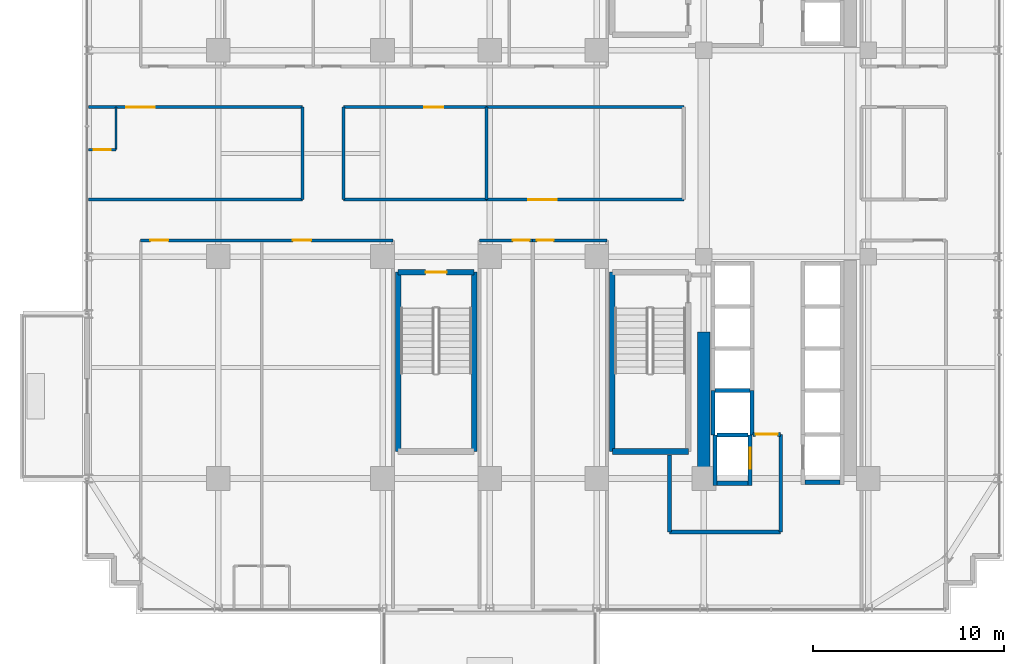
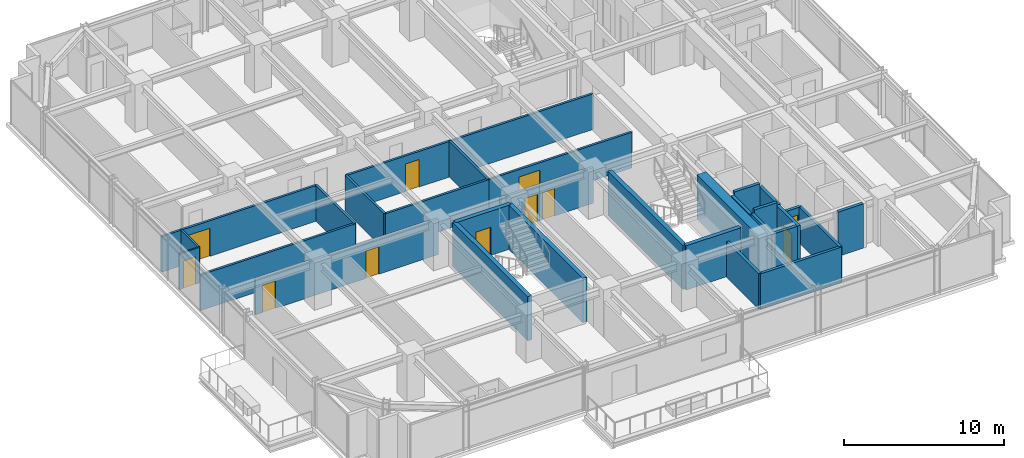
# One storey, part 25 of 31: 32 walls, 11 doors, 11 openings.
"""IFC4 building model written with IfcOpenShell, lengths in metres."""

from ifc_helpers import new_model, si_unit, direction, frame, frame_2d, origin, place, context, subcontext, project, spatial, rectangle, extrude, source, transform, mapped, material, layer, layer_set, type_object, element, fill, save


model = new_model("IFC4")

# Units and contexts
model_context = context("Model", 3, precision=1e-05, world=origin(), true_north=direction((0.0, 1.0)))
body_context = subcontext(model_context, "Body", "Model", "MODEL_VIEW")
ifc_project = project(units=[si_unit("LENGTHUNIT", "METRE"), si_unit("AREAUNIT", "SQUARE_METRE"), si_unit("VOLUMEUNIT", "CUBIC_METRE"), si_unit("PLANEANGLEUNIT", "RADIAN"), si_unit("MASSUNIT", "GRAM", prefix="KILO")], contexts=[model_context])

# Site, building, storey
site_placement = place(None, origin())
site = spatial("IfcSite", under=ifc_project, at=site_placement, CompositionType="ELEMENT")
building_placement = place(site_placement, origin())
building = spatial("IfcBuilding", under=site, at=building_placement, Name="Nahalor Promenade Grand Hotel", CompositionType="ELEMENT")
storey_placement = place(building_placement, frame((0.0, 0.0, 95.60009765625)))
storey = spatial("IfcBuildingStorey", under=building, at=storey_placement, Name="L23", CompositionType="ELEMENT", Elevation=95.60009765625)

# Walls
ifc_material_1 = material(Name="Concrete B-60 (C50/60)", Category="concrete")
ifc_layer_1 = layer(ifc_material_1, 0.64990234375)
ifc_layer_set_1 = layer_set([ifc_layer_1], Name="Concrete B-60 (C50/60)")
wall_type_1 = type_object("IfcWallType", Name="Wall-CoreShear-650", PredefinedType="SHEAR", material=ifc_layer_set_1)
shared_shape_1 = source(origin(), body_context, "Body", "SweptSolid", [
    extrude(rectangle(XDim=7.64990234375, YDim=0.64990234375, at=frame_2d((3.824951171875, 0.0))), origin(), (0.0, 0.0, 1.0), 3.3798828125),
])
wall_1_placement = place(storey_placement, frame((8.39990234375, -17.0, 0.0), z_axis=(0.0, 0.0, 1.0), x_axis=(0.0, 1.0, 0.0)))
element("IfcWall", 1, at=wall_1_placement, inside=storey, type_object=wall_type_1, Name="CWALL-L23-SW", PredefinedType="SHEAR", context=body_context, shape_type="MappedRepresentation", body=[
    mapped(shared_shape_1, transform((0.0, 0.0, 0.0), scale=1.0)),
])
ifc_material_2 = material(Name="Concrete B-50 (C40/50)", Category="concrete")
ifc_layer_2 = layer(ifc_material_2, 0.300048828125)
ifc_layer_set_2 = layer_set([ifc_layer_2], Name="Concrete B-50 (C40/50)")
wall_type_2 = type_object("IfcWallType", Name="Wall-ShaftShear-300", PredefinedType="SHEAR", material=ifc_layer_set_2)
shared_shape_2 = source(origin(), body_context, "Body", "SweptSolid", [
    extrude(rectangle(XDim=3.97998046875, YDim=0.300048828125, at=frame_2d((1.989990234375, 0.0))), origin(), (0.0, 0.0, 1.0), 3.3798828125),
])
wall_2_placement = place(storey_placement, frame((3.610107421875, -15.590087890625, 0.0), z_axis=(0.0, 0.0, 1.0), x_axis=(1.0, 0.0, 0.0)))
element("IfcWall", 2, at=wall_2_placement, inside=storey, type_object=wall_type_2, Name="L23 Exit Stair ST2 Shaft Wall S", PredefinedType="SHEAR", context=body_context, shape_type="MappedRepresentation", body=[
    mapped(shared_shape_2, transform((0.0, 0.0, 0.0), scale=1.0)),
])

# Wall, opening, door
wall_3_placement = place(storey_placement, frame((-7.590087890625, -6.2099609375, 0.0), z_axis=(0.0, 0.0, 1.0), x_axis=(1.0, 0.0, 0.0)))
wall_3 = element("IfcWall", 3, at=wall_3_placement, inside=storey, type_object=wall_type_2, Name="L23 Exit Stair ST3 Shaft Wall N", PredefinedType="SHEAR", context=body_context, shape_type="MappedRepresentation", body=[
    mapped(shared_shape_2, transform((0.0, 0.0, 0.0), scale=1.0)),
])
opening_1_placement = place(wall_3_placement, frame((1.43994140625, 0.0, 0.0)))
opening_1 = element("IfcOpeningElement", 4, at=opening_1_placement, cuts=wall_3, Name="Opening D-ST1", PredefinedType="OPENING", context=body_context, shape_type="SweptSolid", body=[
    extrude(rectangle(XDim=1.10009765625, YDim=2.14990234375, at=frame_2d((0.550048828125, 1.074951171875))), frame((0.0, 0.159912109375, 0.0), z_axis=(0.0, -1.0, 0.0), x_axis=(1.0, 0.0, 0.0)), (0.0, 0.0, 1.0), 0.320068359375),
])
ifc_material_3 = material(Name="Steel S355JR", Category="steel")
door_type_1 = type_object("IfcDoorType", Name="Door-StairFire-1100", OperationType="NOTDEFINED", PredefinedType="DOOR", material=ifc_material_3)
shared_shape_3 = source(origin(), body_context, "Body", "SweptSolid", [
    extrude(rectangle(XDim=1.10009765625, YDim=2.14990234375, at=frame_2d((0.550048828125, 1.074951171875))), frame((0.0, 0.02490234375, 0.0), z_axis=(0.0, -1.0, 0.0), x_axis=(1.0, 0.0, 0.0)), (0.0, 0.0, 1.0), 0.050048828125),
])
door_1_placement = place(opening_1_placement, frame((1.10009765625, 0.0, 0.0), z_axis=(0.0, 0.0, 1.0), x_axis=(-1.0, 0.0, 0.0)))
door_1 = element("IfcDoor", 5, at=door_1_placement, inside=storey, type_object=door_type_1, Name="DR-STAIR-ST3-L23", OperationType="SINGLE_SWING_RIGHT", OverallHeight=2.14990234375, OverallWidth=1.10009765625, PredefinedType="DOOR", context=body_context, shape_type="MappedRepresentation", body=[
    mapped(shared_shape_3, transform((0.0, 0.0, 0.0), scale=1.0)),
])
fill(opening_1, door_1)

# Walls
shared_shape_4 = source(origin(), body_context, "Body", "SweptSolid", [
    extrude(rectangle(XDim=9.380126953125, YDim=0.300048828125, at=frame_2d((4.68994140625, 0.0))), origin(), (0.0, 0.0, 1.0), 3.3798828125),
])
for number, where, z_axis, x_axis, name in (
    (6, (3.610107421875, -15.590087890625, 0.0), (0.0, 0.0, 1.0), (0.0, 1.0, 0.0), "L23 Exit Stair ST2 Shaft Wall W"),
    (7, (-7.590087890625, -15.590087890625, 0.0), (0.0, 0.0, 1.0), (0.0, 1.0, 0.0), "L23 Exit Stair ST3 Shaft Wall W"),
    (8, (-3.610107421875, -15.590087890625, 0.0), (0.0, 0.0, 1.0), (0.0, 1.0, 0.0), "L23 Exit Stair ST3 Shaft Wall E"),
):
    element("IfcWall", number, at=place(storey_placement, frame(where, z_axis=z_axis, x_axis=x_axis)), inside=storey, type_object=wall_type_2, Name=name, PredefinedType="SHEAR", context=body_context, shape_type="MappedRepresentation", body=[
        mapped(shared_shape_4, transform((0.0, 0.0, 0.0), scale=1.0)),
    ])
ifc_layer_3 = layer(ifc_material_2, 0.219970703125)
ifc_layer_set_3 = layer_set([ifc_layer_3], Name="Concrete B-50 (C40/50)")
wall_type_3 = type_object("IfcWallType", Name="Wall-LiftShaft-220", PredefinedType="SHEAR", material=ifc_layer_set_3)
shared_shape_5 = source(origin(), body_context, "Body", "SweptSolid", [
    extrude(rectangle(XDim=1.820068359375, YDim=0.219970703125, at=frame_2d((0.91015625, 0.0))), origin(), (0.0, 0.0, 1.0), 3.64990234375),
])
wall_4_placement = place(storey_placement, frame((8.989990234375, -12.39990234375, 0.0), z_axis=(0.0, 0.0, 1.0), x_axis=(1.0, 0.0, 0.0)))
element("IfcWall", 9, at=wall_4_placement, inside=storey, type_object=wall_type_3, Name="L23 Lift PL12 Hoistway Wall N", PredefinedType="SHEAR", context=body_context, shape_type="MappedRepresentation", body=[
    mapped(shared_shape_5, transform((0.0, 0.0, 0.0), scale=1.0)),
])
shared_shape_6 = source(origin(), body_context, "Body", "SweptSolid", [
    extrude(rectangle(XDim=1.820068359375, YDim=0.219970703125, at=frame_2d((0.91015625, 0.0))), origin(), (0.0, 0.0, 1.0), 3.3798828125),
])
wall_5_placement = place(storey_placement, frame((13.68994140625, -17.199951171875, 0.0), z_axis=(0.0, 0.0, 1.0), x_axis=(1.0, 0.0, 0.0)))
element("IfcWall", 10, at=wall_5_placement, inside=storey, type_object=wall_type_3, Name="L23 Lift SV2 Hoistway Wall S", PredefinedType="SHEAR", context=body_context, shape_type="MappedRepresentation", body=[
    mapped(shared_shape_6, transform((0.0, 0.0, 0.0), scale=1.0)),
])
shared_shape_7 = source(origin(), body_context, "Body", "SweptSolid", [
    extrude(rectangle(XDim=2.3251953125, YDim=0.219970703125, at=frame_2d((1.16259765625, 0.0))), origin(), (0.0, 0.0, 1.0), 3.3798828125),
])
for number, where, z_axis, x_axis, name in (
    (11, (8.8798828125, -14.72509765625, 0.0), (0.0, 0.0, 1.0), (0.0, 1.0, 0.0), "L23 Lift PL12 Hoistway Wall W"),
    (12, (10.919921875, -14.72509765625, 0.0), (0.0, 0.0, 1.0), (0.0, 1.0, 0.0), "L23 Lift PL12 Hoistway Wall E"),
):
    element("IfcWall", number, at=place(storey_placement, frame(where, z_axis=z_axis, x_axis=x_axis)), inside=storey, type_object=wall_type_3, Name=name, PredefinedType="SHEAR", context=body_context, shape_type="MappedRepresentation", body=[
        mapped(shared_shape_7, transform((0.0, 0.0, 0.0), scale=1.0)),
    ])
shared_shape_8 = source(origin(), body_context, "Body", "SweptSolid", [
    extrude(rectangle(XDim=1.619873046875, YDim=0.219970703125, at=frame_2d((0.81005859375, 0.0))), origin(), (0.0, 0.0, 1.0), 3.64990234375),
])
wall_6_placement = place(storey_placement, frame((9.090087890625, -14.72509765625, 0.0), z_axis=(0.0, 0.0, 1.0), x_axis=(1.0, 0.0, 0.0)))
element("IfcWall", 13, at=wall_6_placement, inside=storey, type_object=wall_type_3, Name="L23 Lift FL2 Hoistway Wall N", PredefinedType="SHEAR", context=body_context, shape_type="MappedRepresentation", body=[
    mapped(shared_shape_8, transform((0.0, 0.0, 0.0), scale=1.0)),
])
shared_shape_9 = source(origin(), body_context, "Body", "SweptSolid", [
    extrude(rectangle(XDim=2.635009765625, YDim=0.219970703125, at=frame_2d((1.3173828125, 0.0))), origin(), (0.0, 0.0, 1.0), 3.3798828125),
])
wall_7_placement = place(storey_placement, frame((8.97998046875, -17.360107421875, 0.0), z_axis=(0.0, 0.0, 1.0), x_axis=(0.0, 1.0, 0.0)))
element("IfcWall", 14, at=wall_7_placement, inside=storey, type_object=wall_type_3, Name="L23 Lift FL2 Hoistway Wall W", PredefinedType="SHEAR", context=body_context, shape_type="MappedRepresentation", body=[
    mapped(shared_shape_9, transform((0.0, 0.0, 0.0), scale=1.0)),
])

# Wall, opening, door
wall_8_placement = place(storey_placement, frame((10.820068359375, -17.360107421875, 0.0), z_axis=(0.0, 0.0, 1.0), x_axis=(0.0, 1.0, 0.0)))
wall_8 = element("IfcWall", 15, at=wall_8_placement, inside=storey, type_object=wall_type_3, Name="L23 Lift FL2 Hoistway Wall E", PredefinedType="SHEAR", context=body_context, shape_type="MappedRepresentation", body=[
    mapped(shared_shape_9, transform((0.0, 0.0, 0.0), scale=1.0)),
])
opening_2_placement = place(wall_8_placement, frame((0.860107421875, 0.0, 0.0)))
opening_2 = element("IfcOpeningElement", 16, at=opening_2_placement, cuts=wall_8, Name="Opening LD-02", PredefinedType="OPENING", context=body_context, shape_type="SweptSolid", body=[
    extrude(rectangle(XDim=1.10009765625, YDim=2.199951171875, at=frame_2d((0.550048828125, 1.10009765625))), frame((0.0, 0.119873046875, 0.0), z_axis=(0.0, -1.0, 0.0), x_axis=(1.0, 0.0, 0.0)), (0.0, 0.0, 1.0), 0.239990234375),
])
door_type_2 = type_object("IfcDoorType", Name="Door-LiftFF-1100", OperationType="DOUBLE_DOOR_SLIDING", PredefinedType="DOOR", material=ifc_material_3)
shared_shape_10 = source(origin(), body_context, "Body", "SweptSolid", [
    extrude(rectangle(XDim=1.10009765625, YDim=2.199951171875, at=frame_2d((0.550048828125, 1.10009765625))), frame((0.0, 0.02490234375, 0.0), z_axis=(0.0, -1.0, 0.0), x_axis=(1.0, 0.0, 0.0)), (0.0, 0.0, 1.0), 0.050048828125),
])
door_2_placement = place(opening_2_placement, frame((1.10009765625, 0.0, 0.0), z_axis=(0.0, 0.0, 1.0), x_axis=(-1.0, 0.0, 0.0)))
door_2 = element("IfcDoor", 17, at=door_2_placement, inside=storey, type_object=door_type_2, Name="DR-LIFT-FL2-L23", OperationType="DOUBLE_DOOR_SLIDING", OverallHeight=2.199951171875, OverallWidth=1.10009765625, PredefinedType="DOOR", context=body_context, shape_type="MappedRepresentation", body=[
    mapped(shared_shape_10, transform((0.0, 0.0, 0.0), scale=1.0)),
])
fill(opening_2, door_2)

# Walls
shared_shape_11 = source(origin(), body_context, "Body", "SweptSolid", [
    extrude(rectangle(XDim=1.619873046875, YDim=0.219970703125, at=frame_2d((0.81005859375, 0.0))), origin(), (0.0, 0.0, 1.0), 3.3798828125),
])
wall_9_placement = place(storey_placement, frame((9.090087890625, -17.25, 0.0), z_axis=(0.0, 0.0, 1.0), x_axis=(1.0, 0.0, 0.0)))
element("IfcWall", 18, at=wall_9_placement, inside=storey, type_object=wall_type_3, Name="L23 Lift FL2 Hoistway Wall S", PredefinedType="SHEAR", context=body_context, shape_type="MappedRepresentation", body=[
    mapped(shared_shape_11, transform((0.0, 0.0, 0.0), scale=1.0)),
])
ifc_material_4 = material(Name="Concrete B-40 (C32/40)", Category="concrete")
ifc_layer_4 = layer(ifc_material_4, 0.199951171875)
ifc_layer_set_4 = layer_set([ifc_layer_4], Name="Concrete B-40 (C32/40)")
wall_type_4 = type_object("IfcWallType", Name="Wall-PartFire-200", PredefinedType="PARTITIONING", material=ifc_layer_set_4)
shared_shape_12 = source(origin(), body_context, "Body", "SweptSolid", [
    extrude(rectangle(XDim=5.81982421875, YDim=0.199951171875, at=frame_2d((2.909912109375, 0.0))), origin(), (0.0, 0.0, 1.0), 2.719970703125),
])
wall_10_placement = place(storey_placement, frame((6.60009765625, -19.800048828125, 0.0), z_axis=(0.0, 0.0, 1.0), x_axis=(1.0, 0.0, 0.0)))
element("IfcWall", 19, at=wall_10_placement, inside=storey, type_object=wall_type_4, Name="W-L23-FF2-S1", PredefinedType="PARTITIONING", context=body_context, shape_type="MappedRepresentation", body=[
    mapped(shared_shape_12, transform((0.0, 0.0, 0.0), scale=1.0)),
])
shared_shape_13 = source(origin(), body_context, "Body", "SweptSolid", [
    extrude(rectangle(XDim=4.030029296875, YDim=0.199951171875, at=frame_2d((2.01513671875, 0.0))), origin(), (0.0, 0.0, 1.0), 2.719970703125),
])
wall_11_placement = place(storey_placement, frame((6.60009765625, -19.800048828125, 0.0), z_axis=(0.0, 0.0, 1.0), x_axis=(0.0, 1.0, 0.0)))
element("IfcWall", 20, at=wall_11_placement, inside=storey, type_object=wall_type_4, Name="W-L23-FF2-W1", PredefinedType="PARTITIONING", context=body_context, shape_type="MappedRepresentation", body=[
    mapped(shared_shape_13, transform((0.0, 0.0, 0.0), scale=1.0)),
])
shared_shape_14 = source(origin(), body_context, "Body", "SweptSolid", [
    extrude(rectangle(XDim=5.10009765625, YDim=0.199951171875, at=frame_2d((2.550048828125, 0.0))), origin(), (0.0, 0.0, 1.0), 2.719970703125),
])
wall_12_placement = place(storey_placement, frame((12.419921875, -19.800048828125, 0.0), z_axis=(0.0, 0.0, 1.0), x_axis=(0.0, 1.0, 0.0)))
element("IfcWall", 21, at=wall_12_placement, inside=storey, type_object=wall_type_4, Name="W-L23-FF2-E", PredefinedType="PARTITIONING", context=body_context, shape_type="MappedRepresentation", body=[
    mapped(shared_shape_14, transform((0.0, 0.0, 0.0), scale=1.0)),
])

# Wall, opening, door
shared_shape_15 = source(origin(), body_context, "Body", "SweptSolid", [
    extrude(rectangle(XDim=1.4599609375, YDim=0.199951171875, at=frame_2d((0.72998046875, 0.0))), origin(), (0.0, 0.0, 1.0), 2.719970703125),
])
wall_13_placement = place(storey_placement, frame((10.9599609375, -14.699951171875, 0.0), z_axis=(0.0, 0.0, 1.0), x_axis=(1.0, 0.0, 0.0)))
wall_13 = element("IfcWall", 22, at=wall_13_placement, inside=storey, type_object=wall_type_4, Name="W-L23-FF2-N1", PredefinedType="PARTITIONING", context=body_context, shape_type="MappedRepresentation", body=[
    mapped(shared_shape_15, transform((0.0, 0.0, 0.0), scale=1.0)),
])
opening_3_placement = place(wall_13_placement, frame((0.14501953125, 0.0, 0.0)))
opening_3 = element("IfcOpeningElement", 23, at=opening_3_placement, cuts=wall_13, Name="Opening D-FF1", PredefinedType="OPENING", context=body_context, shape_type="SweptSolid", body=[
    extrude(rectangle(XDim=1.14990234375, YDim=2.14990234375, at=frame_2d((0.574951171875, 1.074951171875))), frame((0.0, 0.10986328125, 0.0), z_axis=(0.0, -1.0, 0.0), x_axis=(1.0, 0.0, 0.0)), (0.0, 0.0, 1.0), 0.219970703125),
])
door_type_3 = type_object("IfcDoorType", Name="Door-FFLobby-1150", OperationType="NOTDEFINED", PredefinedType="DOOR", material=ifc_material_3)
shared_shape_16 = source(origin(), body_context, "Body", "SweptSolid", [
    extrude(rectangle(XDim=1.14990234375, YDim=2.14990234375, at=frame_2d((0.574951171875, 1.074951171875))), frame((0.0, 0.02490234375, 0.0), z_axis=(0.0, -1.0, 0.0), x_axis=(1.0, 0.0, 0.0)), (0.0, 0.0, 1.0), 0.050048828125),
])
door_3_placement = place(opening_3_placement, origin())
door_3 = element("IfcDoor", 24, at=door_3_placement, inside=storey, type_object=door_type_3, Name="DR-L23-FFL2", OperationType="SINGLE_SWING_RIGHT", OverallHeight=2.14990234375, OverallWidth=1.14990234375, PredefinedType="DOOR", context=body_context, shape_type="MappedRepresentation", body=[
    mapped(shared_shape_16, transform((0.0, 0.0, 0.0), scale=1.0)),
])
fill(opening_3, door_3)

# Wall
ifc_material_5 = material(Name="Acoustic Mineral Gypsum", Category="gypsum")
ifc_layer_5 = layer(ifc_material_5, 0.1201171875)
ifc_layer_set_5 = layer_set([ifc_layer_5], Name="Acoustic Mineral Gypsum")
wall_type_5 = type_object("IfcWallType", Name="Wall-PartBath-120", PredefinedType="PARTITIONING", material=ifc_layer_set_5)
shared_shape_17 = source(origin(), body_context, "Body", "SweptSolid", [
    extrude(rectangle(XDim=2.219970703125, YDim=0.1201171875, at=frame_2d((1.10986328125, 0.0))), origin(), (0.0, 0.0, 1.0), 2.719970703125),
])
wall_14_placement = place(storey_placement, frame((-22.35009765625, 0.199951171875, 0.0), z_axis=(0.0, 0.0, 1.0), x_axis=(0.0, 1.0, 0.0)))
element("IfcWall", 25, at=wall_14_placement, inside=storey, type_object=wall_type_5, Name="W-L23-W1-BV", PredefinedType="PARTITIONING", context=body_context, shape_type="MappedRepresentation", body=[
    mapped(shared_shape_17, transform((0.0, 0.0, 0.0), scale=1.0)),
])

# Wall, opening, door
shared_shape_18 = source(origin(), body_context, "Body", "SweptSolid", [
    extrude(rectangle(XDim=1.449951171875, YDim=0.1201171875, at=frame_2d((0.72509765625, 0.0))), origin(), (0.0, 0.0, 1.0), 2.719970703125),
])
wall_15_placement = place(storey_placement, frame((-23.800048828125, 0.199951171875, 0.0), z_axis=(0.0, 0.0, 1.0), x_axis=(1.0, 0.0, 0.0)))
wall_15 = element("IfcWall", 26, at=wall_15_placement, inside=storey, type_object=wall_type_5, Name="W-L23-W1-BH", PredefinedType="PARTITIONING", context=body_context, shape_type="MappedRepresentation", body=[
    mapped(shared_shape_18, transform((0.0, 0.0, 0.0), scale=1.0)),
])
opening_4_placement = place(wall_15_placement, frame((0.284912109375, 0.0, 0.0)))
opening_4 = element("IfcOpeningElement", 27, at=opening_4_placement, cuts=wall_15, Name="Opening D-03", PredefinedType="OPENING", context=body_context, shape_type="SweptSolid", body=[
    extrude(rectangle(XDim=0.8798828125, YDim=2.10009765625, at=frame_2d((0.43994140625, 1.050048828125))), frame((0.0, 0.070068359375, 0.0), z_axis=(0.0, -1.0, 0.0), x_axis=(1.0, 0.0, 0.0)), (0.0, 0.0, 1.0), 0.14013671875),
])
ifc_material_6 = material(Name="Fire-Rated Timber Composite", Category="wood")
door_type_4 = type_object("IfcDoorType", Name="Door-BathSwing-880", OperationType="NOTDEFINED", PredefinedType="DOOR", material=ifc_material_6)
shared_shape_19 = source(origin(), body_context, "Body", "SweptSolid", [
    extrude(rectangle(XDim=0.8798828125, YDim=2.10009765625, at=frame_2d((0.43994140625, 1.050048828125))), frame((0.0, 0.02490234375, 0.0), z_axis=(0.0, -1.0, 0.0), x_axis=(1.0, 0.0, 0.0)), (0.0, 0.0, 1.0), 0.050048828125),
])
door_4_placement = place(opening_4_placement, origin())
door_4 = element("IfcDoor", 28, at=door_4_placement, inside=storey, type_object=door_type_4, Name="DR-L23-W1-BATH", OperationType="SINGLE_SWING_LEFT", OverallHeight=2.10009765625, OverallWidth=0.8798828125, PredefinedType="DOOR", context=body_context, shape_type="MappedRepresentation", body=[
    mapped(shared_shape_19, transform((0.0, 0.0, 0.0), scale=1.0)),
])
fill(opening_4, door_4)

# Wall, openings, doors
ifc_layer_6 = layer(ifc_material_5, 0.159912109375)
ifc_layer_set_6 = layer_set([ifc_layer_6], Name="Acoustic Mineral Gypsum")
wall_type_6 = type_object("IfcWallType", Name="Wall-PartCorridor-160", PredefinedType="PARTITIONING", material=ifc_layer_set_6)
shared_shape_20 = source(origin(), body_context, "Body", "SweptSolid", [
    extrude(rectangle(XDim=13.199951171875, YDim=0.159912109375, at=frame_2d((6.60009765625, 0.0))), origin(), (0.0, 0.0, 1.0), 2.719970703125),
])
wall_16_placement = place(storey_placement, frame((-21.06005859375, -4.550048828125, 0.0), z_axis=(0.0, 0.0, 1.0), x_axis=(1.0, 0.0, 0.0)))
wall_16 = element("IfcWall", 29, at=wall_16_placement, inside=storey, type_object=wall_type_6, Name="W-L23-CORR-S", PredefinedType="PARTITIONING", context=body_context, shape_type="MappedRepresentation", body=[
    mapped(shared_shape_20, transform((0.0, 0.0, 0.0), scale=1.0)),
])
opening_5_placement = place(wall_16_placement, frame((0.50390625, 0.0, 0.0)))
opening_5 = element("IfcOpeningElement", 30, at=opening_5_placement, cuts=wall_16, Name="Opening D-01", PredefinedType="OPENING", context=body_context, shape_type="SweptSolid", body=[
    extrude(rectangle(XDim=0.949951171875, YDim=2.10009765625, at=frame_2d((0.47509765625, 1.050048828125))), frame((0.0, 0.08984375, 0.0), z_axis=(0.0, -1.0, 0.0), x_axis=(1.0, 0.0, 0.0)), (0.0, 0.0, 1.0), 0.179931640625),
])
opening_6_placement = place(wall_16_placement, frame((7.9619140625, 0.0, 0.0)))
opening_6 = element("IfcOpeningElement", 31, at=opening_6_placement, cuts=wall_16, Name="Opening D-01", PredefinedType="OPENING", context=body_context, shape_type="SweptSolid", body=[
    extrude(rectangle(XDim=0.949951171875, YDim=2.10009765625, at=frame_2d((0.47509765625, 1.050048828125))), frame((0.0, 0.08984375, 0.0), z_axis=(0.0, -1.0, 0.0), x_axis=(1.0, 0.0, 0.0)), (0.0, 0.0, 1.0), 0.179931640625),
])
door_type_5 = type_object("IfcDoorType", Name="Door-GuestEntry-950", OperationType="NOTDEFINED", PredefinedType="DOOR", material=ifc_material_6)
shared_shape_21 = source(origin(), body_context, "Body", "SweptSolid", [
    extrude(rectangle(XDim=0.949951171875, YDim=2.10009765625, at=frame_2d((0.47509765625, 1.050048828125))), frame((0.0, 0.02490234375, 0.0), z_axis=(0.0, -1.0, 0.0), x_axis=(1.0, 0.0, 0.0)), (0.0, 0.0, 1.0), 0.050048828125),
])
door_5_placement = place(opening_5_placement, frame((0.949951171875, 0.0, 0.0), z_axis=(0.0, 0.0, 1.0), x_axis=(-1.0, 0.0, 0.0)))
door_5 = element("IfcDoor", 32, at=door_5_placement, inside=storey, type_object=door_type_5, Name="DR-L23-S1-ENT", OperationType="SINGLE_SWING_RIGHT", OverallHeight=2.10009765625, OverallWidth=0.949951171875, PredefinedType="DOOR", context=body_context, shape_type="MappedRepresentation", body=[
    mapped(shared_shape_21, transform((0.0, 0.0, 0.0), scale=1.0)),
])
fill(opening_5, door_5)
door_6_placement = place(opening_6_placement, frame((0.949951171875, 0.0, 0.0), z_axis=(0.0, 0.0, 1.0), x_axis=(-1.0, 0.0, 0.0)))
door_6 = element("IfcDoor", 33, at=door_6_placement, inside=storey, type_object=door_type_5, Name="DR-L23-S2-ENT", OperationType="SINGLE_SWING_RIGHT", OverallHeight=2.10009765625, OverallWidth=0.949951171875, PredefinedType="DOOR", context=body_context, shape_type="MappedRepresentation", body=[
    mapped(shared_shape_21, transform((0.0, 0.0, 0.0), scale=1.0)),
])
fill(opening_6, door_6)

# Walls
shared_shape_22 = source(origin(), body_context, "Body", "SweptSolid", [
    extrude(rectangle(XDim=4.83984375, YDim=0.159912109375, at=frame_2d((2.419921875, 0.0))), origin(), (0.0, 0.0, 1.0), 2.719970703125),
])
for number, where, z_axis, x_axis, name in (
    (34, (-12.60009765625, -2.419921875, 0.0), (0.0, 0.0, 1.0), (0.0, 1.0, 0.0), "W-L23-WEST-E"),
    (35, (-10.449951171875, -2.419921875, 0.0), (0.0, 0.0, 1.0), (0.0, 1.0, 0.0), "W-L23-CM1-W"),
    (36, (-2.97412109375, -2.419921875, 0.0), (0.0, 0.0, 1.0), (0.0, 1.0, 0.0), "W-L23-CM1-E"),
):
    element("IfcWall", number, at=place(storey_placement, frame(where, z_axis=z_axis, x_axis=x_axis)), inside=storey, type_object=wall_type_6, Name=name, PredefinedType="PARTITIONING", context=body_context, shape_type="MappedRepresentation", body=[
        mapped(shared_shape_22, transform((0.0, 0.0, 0.0), scale=1.0)),
    ])

# Wall, opening, door
shared_shape_23 = source(origin(), body_context, "Body", "SweptSolid", [
    extrude(rectangle(XDim=11.199951171875, YDim=0.159912109375, at=frame_2d((5.60009765625, 0.0))), origin(), (0.0, 0.0, 1.0), 2.719970703125),
])
wall_17_placement = place(storey_placement, frame((-23.800048828125, 2.419921875, 0.0), z_axis=(0.0, 0.0, 1.0), x_axis=(1.0, 0.0, 0.0)))
wall_17 = element("IfcWall", 37, at=wall_17_placement, inside=storey, type_object=wall_type_6, Name="W-L23-WEST-N", PredefinedType="PARTITIONING", context=body_context, shape_type="MappedRepresentation", body=[
    mapped(shared_shape_23, transform((0.0, 0.0, 0.0), scale=1.0)),
])
opening_7_placement = place(wall_17_placement, frame((1.97705078125, 0.0, 0.0)))
opening_7 = element("IfcOpeningElement", 38, at=opening_7_placement, cuts=wall_17, Name="Opening D-02", PredefinedType="OPENING", context=body_context, shape_type="SweptSolid", body=[
    extrude(rectangle(XDim=1.5, YDim=2.14990234375, at=frame_2d((0.75, 1.074951171875))), frame((0.0, 0.08984375, 0.0), z_axis=(0.0, -1.0, 0.0), x_axis=(1.0, 0.0, 0.0)), (0.0, 0.0, 1.0), 0.179931640625),
])
door_type_6 = type_object("IfcDoorType", Name="Door-SuiteDouble-1500", OperationType="DOUBLE_DOOR_SINGLE_SWING", PredefinedType="DOOR", material=ifc_material_6)
shared_shape_24 = source(origin(), body_context, "Body", "SweptSolid", [
    extrude(rectangle(XDim=1.5, YDim=2.14990234375, at=frame_2d((0.75, 1.074951171875))), frame((0.0, 0.02490234375, 0.0), z_axis=(0.0, -1.0, 0.0), x_axis=(1.0, 0.0, 0.0)), (0.0, 0.0, 1.0), 0.050048828125),
])
door_7_placement = place(opening_7_placement, origin())
door_7 = element("IfcDoor", 39, at=door_7_placement, inside=storey, type_object=door_type_6, Name="DR-L23-W1-ENT", OperationType="DOUBLE_DOOR_SINGLE_SWING", OverallHeight=2.14990234375, OverallWidth=1.5, PredefinedType="DOOR", context=body_context, shape_type="MappedRepresentation", body=[
    mapped(shared_shape_24, transform((0.0, 0.0, 0.0), scale=1.0)),
])
fill(opening_7, door_7)

# Walls
wall_18_placement = place(storey_placement, frame((-23.800048828125, -2.419921875, 0.0), z_axis=(0.0, 0.0, 1.0), x_axis=(1.0, 0.0, 0.0)))
element("IfcWall", 40, at=wall_18_placement, inside=storey, type_object=wall_type_6, Name="W-L23-WEST-S", PredefinedType="PARTITIONING", context=body_context, shape_type="MappedRepresentation", body=[
    mapped(shared_shape_23, transform((0.0, 0.0, 0.0), scale=1.0)),
])
shared_shape_25 = source(origin(), body_context, "Body", "SweptSolid", [
    extrude(rectangle(XDim=7.475830078125, YDim=0.159912109375, at=frame_2d((3.73779296875, 0.0))), origin(), (0.0, 0.0, 1.0), 2.719970703125),
])
wall_19_placement = place(storey_placement, frame((-10.449951171875, -2.419921875, 0.0), z_axis=(0.0, 0.0, 1.0), x_axis=(1.0, 0.0, 0.0)))
element("IfcWall", 41, at=wall_19_placement, inside=storey, type_object=wall_type_6, Name="W-L23-CM1-S", PredefinedType="PARTITIONING", context=body_context, shape_type="MappedRepresentation", body=[
    mapped(shared_shape_25, transform((0.0, 0.0, 0.0), scale=1.0)),
])

# Wall, opening, door
wall_20_placement = place(storey_placement, frame((-10.449951171875, 2.419921875, 0.0), z_axis=(0.0, 0.0, 1.0), x_axis=(1.0, 0.0, 0.0)))
wall_20 = element("IfcWall", 42, at=wall_20_placement, inside=storey, type_object=wall_type_6, Name="W-L23-CM1-N", PredefinedType="PARTITIONING", context=body_context, shape_type="MappedRepresentation", body=[
    mapped(shared_shape_25, transform((0.0, 0.0, 0.0), scale=1.0)),
])
opening_8_placement = place(wall_20_placement, frame((4.23193359375, 0.0, 0.0)))
opening_8 = element("IfcOpeningElement", 43, at=opening_8_placement, cuts=wall_20, Name="Opening D-04", PredefinedType="OPENING", context=body_context, shape_type="SweptSolid", body=[
    extrude(rectangle(XDim=1.0, YDim=2.10009765625, at=frame_2d((0.5, 1.050048828125))), frame((0.0, 0.08984375, 0.0), z_axis=(0.0, -1.0, 0.0), x_axis=(1.0, 0.0, 0.0)), (0.0, 0.0, 1.0), 0.179931640625),
])
door_type_7 = type_object("IfcDoorType", Name="Door-ServiceFire-1000", OperationType="NOTDEFINED", PredefinedType="DOOR", material=ifc_material_3)
shared_shape_26 = source(origin(), body_context, "Body", "SweptSolid", [
    extrude(rectangle(XDim=1.0, YDim=2.10009765625, at=frame_2d((0.5, 1.050048828125))), frame((0.0, 0.02490234375, 0.0), z_axis=(0.0, -1.0, 0.0), x_axis=(1.0, 0.0, 0.0)), (0.0, 0.0, 1.0), 0.050048828125),
])
door_8_placement = place(opening_8_placement, frame((1.0, 0.0, 0.0), z_axis=(0.0, 0.0, 1.0), x_axis=(-1.0, 0.0, 0.0)))
door_8 = element("IfcDoor", 44, at=door_8_placement, inside=storey, type_object=door_type_7, Name="DR-L23-CM1", OperationType="SINGLE_SWING_RIGHT", OverallHeight=2.10009765625, OverallWidth=1.0, PredefinedType="DOOR", context=body_context, shape_type="MappedRepresentation", body=[
    mapped(shared_shape_26, transform((0.0, 0.0, 0.0), scale=1.0)),
])
fill(opening_8, door_8)

shared_shape_27 = source(origin(), body_context, "Body", "SweptSolid", [
    extrude(rectangle(XDim=10.32421875, YDim=0.159912109375, at=frame_2d((5.162109375, 0.0))), origin(), (0.0, 0.0, 1.0), 2.719970703125),
])
wall_21_placement = place(storey_placement, frame((-2.97412109375, -2.419921875, 0.0), z_axis=(0.0, 0.0, 1.0), x_axis=(1.0, 0.0, 0.0)))
wall_21 = element("IfcWall", 45, at=wall_21_placement, inside=storey, type_object=wall_type_6, Name="W-L23-CM2-S", PredefinedType="PARTITIONING", context=body_context, shape_type="MappedRepresentation", body=[
    mapped(shared_shape_27, transform((0.0, 0.0, 0.0), scale=1.0)),
])
opening_9_placement = place(wall_21_placement, frame((2.177978515625, 0.0, 0.0)))
opening_9 = element("IfcOpeningElement", 46, at=opening_9_placement, cuts=wall_21, Name="Opening D-02", PredefinedType="OPENING", context=body_context, shape_type="SweptSolid", body=[
    extrude(rectangle(XDim=1.5, YDim=2.14990234375, at=frame_2d((0.75, 1.074951171875))), frame((0.0, 0.08984375, 0.0), z_axis=(0.0, -1.0, 0.0), x_axis=(1.0, 0.0, 0.0)), (0.0, 0.0, 1.0), 0.179931640625),
])
door_9_placement = place(opening_9_placement, origin())
door_9 = element("IfcDoor", 47, at=door_9_placement, inside=storey, type_object=door_type_6, Name="DR-L23-CM2", OperationType="DOUBLE_DOOR_SINGLE_SWING", OverallHeight=2.14990234375, OverallWidth=1.5, PredefinedType="DOOR", context=body_context, shape_type="MappedRepresentation", body=[
    mapped(shared_shape_24, transform((0.0, 0.0, 0.0), scale=1.0)),
])
fill(opening_9, door_9)

# Wall
wall_22_placement = place(storey_placement, frame((-2.97412109375, 2.419921875, 0.0), z_axis=(0.0, 0.0, 1.0), x_axis=(1.0, 0.0, 0.0)))
element("IfcWall", 48, at=wall_22_placement, inside=storey, type_object=wall_type_6, Name="W-L23-CM2-N", PredefinedType="PARTITIONING", context=body_context, shape_type="MappedRepresentation", body=[
    mapped(shared_shape_27, transform((0.0, 0.0, 0.0), scale=1.0)),
])

# Wall, opening, door
shared_shape_28 = source(origin(), body_context, "Body", "SweptSolid", [
    extrude(rectangle(XDim=2.7900390625, YDim=0.159912109375, at=frame_2d((1.39501953125, 0.0))), origin(), (0.0, 0.0, 1.0), 2.719970703125),
])
wall_23_placement = place(storey_placement, frame((-3.340087890625, -4.550048828125, 0.0), z_axis=(0.0, 0.0, 1.0), x_axis=(1.0, 0.0, 0.0)))
wall_23 = element("IfcWall", 49, at=wall_23_placement, inside=storey, type_object=wall_type_6, Name="W-L23-SCB1-N", PredefinedType="PARTITIONING", context=body_context, shape_type="MappedRepresentation", body=[
    mapped(shared_shape_28, transform((0.0, 0.0, 0.0), scale=1.0)),
])
opening_10_placement = place(wall_23_placement, frame((1.75, 0.0, 0.0)))
opening_10 = element("IfcOpeningElement", 50, at=opening_10_placement, cuts=wall_23, Name="Opening D-03", PredefinedType="OPENING", context=body_context, shape_type="SweptSolid", body=[
    extrude(rectangle(XDim=0.8798828125, YDim=2.10009765625, at=frame_2d((0.43994140625, 1.050048828125))), frame((0.0, 0.08984375, 0.0), z_axis=(0.0, -1.0, 0.0), x_axis=(1.0, 0.0, 0.0)), (0.0, 0.0, 1.0), 0.179931640625),
])
door_10_placement = place(opening_10_placement, frame((0.8798828125, 0.0, 0.0), z_axis=(0.0, 0.0, 1.0), x_axis=(-1.0, 0.0, 0.0)))
door_10 = element("IfcDoor", 51, at=door_10_placement, inside=storey, type_object=door_type_4, Name="DR-L23-SCB1", OperationType="SINGLE_SWING_LEFT", OverallHeight=2.10009765625, OverallWidth=0.8798828125, PredefinedType="DOOR", context=body_context, shape_type="MappedRepresentation", body=[
    mapped(shared_shape_19, transform((0.0, 0.0, 0.0), scale=1.0)),
])
fill(opening_10, door_10)

shared_shape_29 = source(origin(), body_context, "Body", "SweptSolid", [
    extrude(rectangle(XDim=3.89013671875, YDim=0.159912109375, at=frame_2d((1.945068359375, 0.0))), origin(), (0.0, 0.0, 1.0), 2.719970703125),
])
wall_24_placement = place(storey_placement, frame((-0.550048828125, -4.550048828125, 0.0), z_axis=(0.0, 0.0, 1.0), x_axis=(1.0, 0.0, 0.0)))
wall_24 = element("IfcWall", 52, at=wall_24_placement, inside=storey, type_object=wall_type_6, Name="W-L23-SCB2-N", PredefinedType="PARTITIONING", context=body_context, shape_type="MappedRepresentation", body=[
    mapped(shared_shape_29, transform((0.0, 0.0, 0.0), scale=1.0)),
])
opening_11_placement = place(wall_24_placement, frame((0.2099609375, 0.0, 0.0)))
opening_11 = element("IfcOpeningElement", 53, at=opening_11_placement, cuts=wall_24, Name="Opening D-03", PredefinedType="OPENING", context=body_context, shape_type="SweptSolid", body=[
    extrude(rectangle(XDim=0.8798828125, YDim=2.10009765625, at=frame_2d((0.43994140625, 1.050048828125))), frame((0.0, 0.08984375, 0.0), z_axis=(0.0, -1.0, 0.0), x_axis=(1.0, 0.0, 0.0)), (0.0, 0.0, 1.0), 0.179931640625),
])
door_11_placement = place(opening_11_placement, frame((0.8798828125, 0.0, 0.0), z_axis=(0.0, 0.0, 1.0), x_axis=(-1.0, 0.0, 0.0)))
door_11 = element("IfcDoor", 54, at=door_11_placement, inside=storey, type_object=door_type_4, Name="DR-L23-SCB2", OperationType="SINGLE_SWING_RIGHT", OverallHeight=2.10009765625, OverallWidth=0.8798828125, PredefinedType="DOOR", context=body_context, shape_type="MappedRepresentation", body=[
    mapped(shared_shape_19, transform((0.0, 0.0, 0.0), scale=1.0)),
])
fill(opening_11, door_11)

save(model, "model.ifc")
